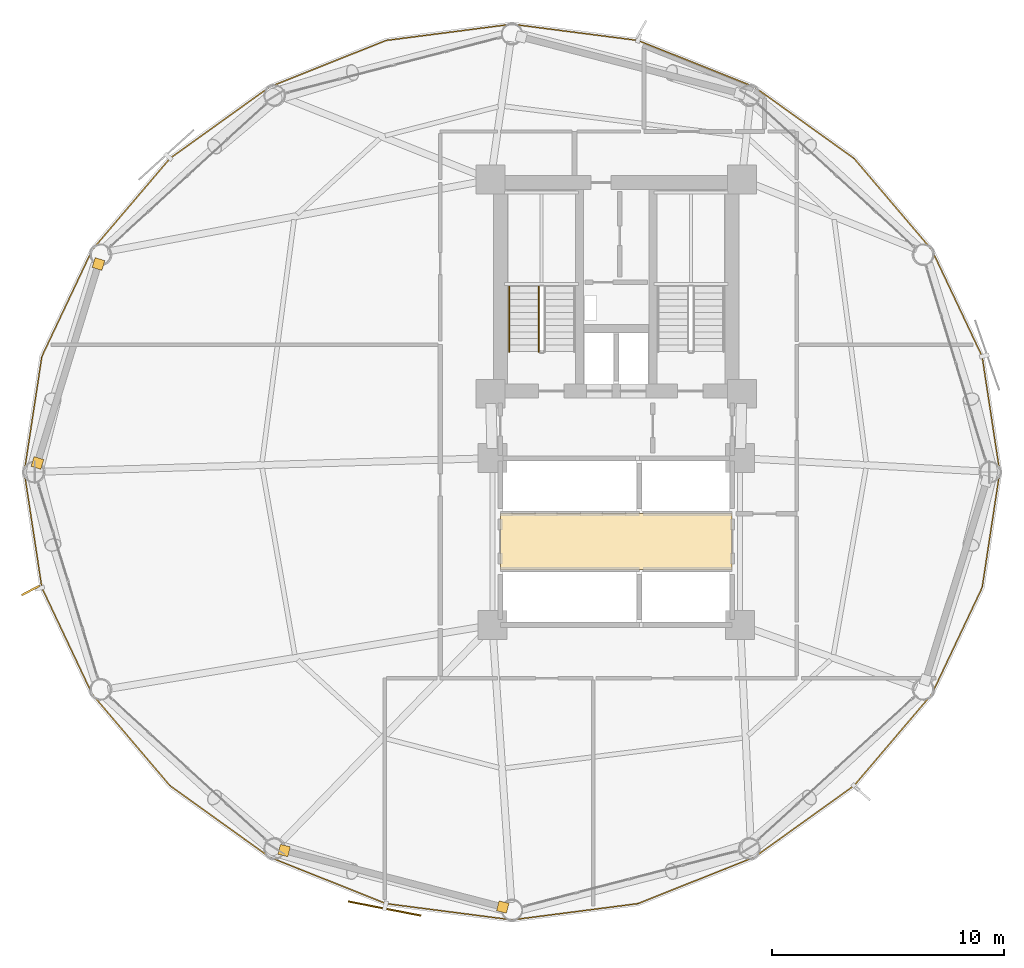
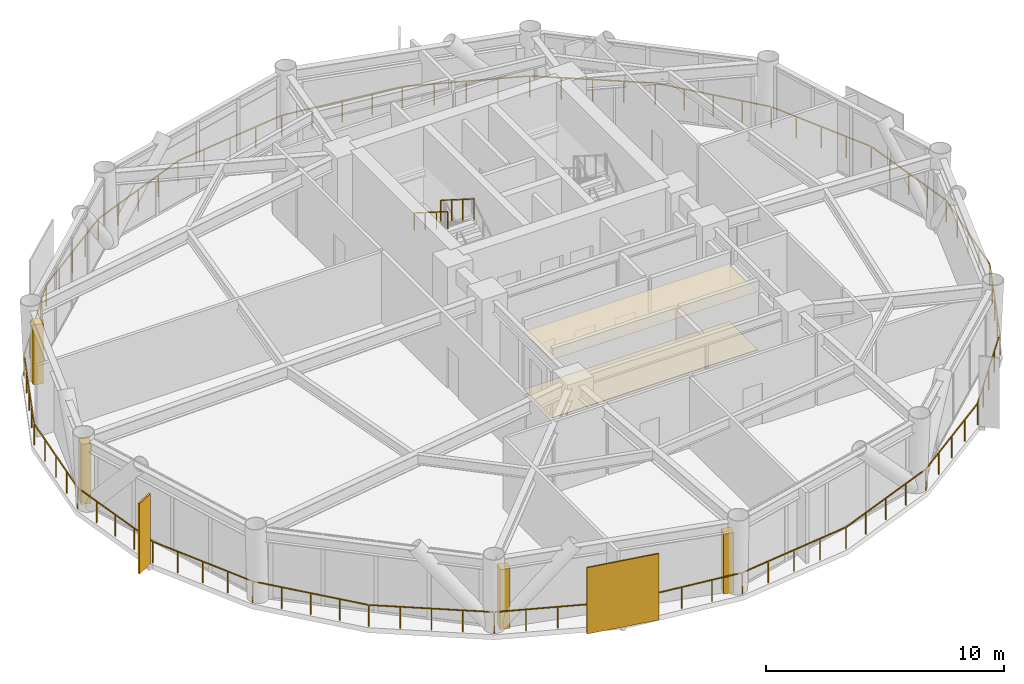
# One storey, part 23 of 25: 6 coverings, 3 railings, 2 shading devices.
"""IFC4 building model written with IfcOpenShell, lengths in metres."""

from ifc_helpers import new_model, si_unit, direction, frame, origin, origin_2d, place, context, subcontext, project, spatial, polyline, rectangle, outline, extrude, source, transform, mapped, material, layer, layer_set, type_object, type_shapes, element, save


model = new_model("IFC4")

# Units and contexts
model_context = context("Model", 3, precision=1e-05, world=origin(), true_north=direction((0.0, 1.0)))
body_context = subcontext(model_context, "Body", "Model", "MODEL_VIEW")
ifc_project = project(units=[si_unit("LENGTHUNIT", "METRE"), si_unit("AREAUNIT", "SQUARE_METRE"), si_unit("VOLUMEUNIT", "CUBIC_METRE"), si_unit("PLANEANGLEUNIT", "RADIAN"), si_unit("MASSUNIT", "GRAM", prefix="KILO")], contexts=[model_context])

# Site, building, storey
site_placement = place(None, origin())
site = spatial("IfcSite", under=ifc_project, at=site_placement, CompositionType="ELEMENT")
building_placement = place(site_placement, origin())
building = spatial("IfcBuilding", under=site, at=building_placement, Name="Varnakorn Sky Granary", CompositionType="ELEMENT")
storey_placement = place(building_placement, frame((0.0, 0.0, 39.300048828125)))
storey = spatial("IfcBuildingStorey", under=building, at=storey_placement, Name="L09", CompositionType="ELEMENT", Elevation=39.300048828125)

# Coverings
ifc_material_1 = material(Name="Perforated Acoustic Mineral-Fibre Ceiling", Category="gypsum")
ifc_layer_1 = layer(ifc_material_1, 0.02001953125, Name="Perforated Acoustic Mineral-Fibre Ceiling")
ifc_layer_set_1 = layer_set([ifc_layer_1], Name="Perforated Acoustic Mineral-Fibre Ceiling")
covering_type_1 = type_object("IfcCoveringType", Name="CV-CEIL-20", PredefinedType="CEILING", material=ifc_layer_set_1)
covering_1_placement = place(storey_placement, frame((0.0, 0.0, 2.989990234375)))
element("IfcCovering", 1, at=covering_1_placement, inside=storey, type_object=covering_type_1, Name="Lift Lobby Perforated Acoustic Ceiling L09", PredefinedType="CEILING", context=body_context, shape_type="SweptSolid", body=[
    extrude(outline(polyline([(-2.0, -4.199951171875), (8.0, -4.199951171875), (8.0, -1.800048828125), (-2.0, -1.800048828125), (-2.0, -4.199951171875)])), origin(), (0.0, 0.0, 1.0), 0.02001953125),
])
ifc_material_2 = material(Name="Honed Epoxy Terrazzo Topping", Category="concrete")
ifc_layer_2 = layer(ifc_material_2, 0.030029296875, Name="Honed Epoxy Terrazzo Topping")
ifc_layer_set_2 = layer_set([ifc_layer_2], Name="Honed Epoxy Terrazzo Topping")
covering_type_2 = type_object("IfcCoveringType", Name="CV-FLOR-30", PredefinedType="FLOORING", material=ifc_layer_set_2)
covering_2_placement = place(storey_placement, origin())
element("IfcCovering", 2, at=covering_2_placement, inside=storey, type_object=covering_type_2, Name="Lift Lobby Terrazzo Floor Finish L09", PredefinedType="FLOORING", context=body_context, shape_type="SweptSolid", body=[
    extrude(outline(polyline([(-2.0, -4.199951171875), (8.0, -4.199951171875), (8.0, -1.800048828125), (-2.0, -1.800048828125), (-2.0, -4.199951171875)])), origin(), (0.0, 0.0, 1.0), 0.030029296875),
])

# Railings
ifc_material_3 = material(Name="Anodised Bronze Aluminium Alloy 6063-T6", Category="aluminium")
railing_type_1 = type_object("IfcRailingType", Name="RL-BAL-1120", PredefinedType="BALUSTRADE", material=ifc_material_3)
railing_1_placement = place(storey_placement, frame((19.5546875, 0.0, 0.0)))
element("IfcRailing", 3, at=railing_1_placement, inside=storey, type_object=railing_type_1, Name="Perimeter Slab-Edge Safety Guard L09", PredefinedType="BALUSTRADE", context=body_context, shape_type="SweptSolid", body=[
    extrude(rectangle(XDim=0.048095703125, YDim=0.048095703125, at=origin_2d()), frame((-0.004150390625, -0.027587890625, 1.09619140625), z_axis=(-0.150566382434, -0.988599901113, 0.0), x_axis=(0.988599901113, -0.150566382434, 0.0)), (0.0, 0.0, 1.0), 4.989990234375),
    extrude(rectangle(XDim=0.048095703125, YDim=0.048095703125, at=origin_2d()), frame((-0.771728515625, -5.013916015625, 1.09619140625), z_axis=(-0.427026990185, -0.904238878645, 0.0), x_axis=(0.904238878645, -0.427026990185, 0.0)), (0.0, 0.0, 1.0), 5.037353515625),
    extrude(rectangle(XDim=0.048095703125, YDim=0.048095703125, at=origin_2d()), frame((-2.952880859375, -9.615478515625, 1.09619140625), z_axis=(-0.647871411654, -0.761749718715, 0.0), x_axis=(0.761749718715, -0.647871411654, 0.0)), (0.0, 0.0, 1.0), 5.12353515625),
    extrude(rectangle(XDim=0.048095703125, YDim=0.048095703125, at=origin_2d()), frame((-6.313232421875, -13.55615234375, 1.09619140625), z_axis=(-0.812694456522, -0.582690072283, 0.0), x_axis=(0.582690072283, -0.812694456522, 0.0)), (0.0, 0.0, 1.0), 5.237548828125),
    extrude(rectangle(XDim=0.048095703125, YDim=0.048095703125, at=origin_2d()), frame((-10.61865234375, -16.634765625, 1.09619140625), z_axis=(-0.928716184693, -0.370791381087, 0.0), x_axis=(0.370791381087, -0.928716184693, 0.0)), (0.0, 0.0, 1.0), 5.35302734375),
    extrude(rectangle(XDim=0.048095703125, YDim=0.048095703125, at=origin_2d()), frame((-15.643798828125, -18.633544921875, 1.09619140625), z_axis=(-0.991763460972, -0.128082932047, 0.0), x_axis=(0.128082932047, -0.991763460972, 0.0)), (0.0, 0.0, 1.0), 5.427978515625),
    extrude(rectangle(XDim=0.048095703125, YDim=0.048095703125, at=origin_2d()), frame((-21.08251953125, -19.32861328125, 1.09619140625), z_axis=(-0.991763460972, 0.128082932047, 0.0), x_axis=(-0.128082932047, -0.991763460972, 0.0)), (0.0, 0.0, 1.0), 5.427978515625),
    extrude(rectangle(XDim=0.048095703125, YDim=0.048095703125, at=origin_2d()), frame((-26.51953125, -18.619384765625, 1.09619140625), z_axis=(-0.928716184693, 0.370791381087, 0.0), x_axis=(-0.370791381087, -0.928716184693, 0.0)), (0.0, 0.0, 1.0), 5.35302734375),
    extrude(rectangle(XDim=0.048095703125, YDim=0.048095703125, at=origin_2d()), frame((-31.53955078125, -16.60791015625, 1.09619140625), z_axis=(-0.812694456522, 0.582690072283, 0.0), x_axis=(-0.582690072283, -0.812694456522, 0.0)), (0.0, 0.0, 1.0), 5.237548828125),
    extrude(rectangle(XDim=0.048095703125, YDim=0.048095703125, at=origin_2d()), frame((-35.8369140625, -13.5185546875, 1.09619140625), z_axis=(-0.647871411654, 0.761749718715, 0.0), x_axis=(-0.761749718715, -0.647871411654, 0.0)), (0.0, 0.0, 1.0), 5.12353515625),
    extrude(rectangle(XDim=0.048095703125, YDim=0.048095703125, at=origin_2d()), frame((-39.1865234375, -9.56884765625, 1.09619140625), z_axis=(-0.427026990185, 0.904238878645, 0.0), x_axis=(-0.904238878645, -0.427026990185, 0.0)), (0.0, 0.0, 1.0), 5.037353515625),
    extrude(rectangle(XDim=0.048095703125, YDim=0.048095703125, at=origin_2d()), frame((-41.353759765625, -4.9609375, 1.09619140625), z_axis=(-0.150566382434, 0.988599901113, 0.0), x_axis=(-0.988599901113, -0.150566382434, 0.0)), (0.0, 0.0, 1.0), 4.989990234375),
    extrude(rectangle(XDim=0.048095703125, YDim=0.048095703125, at=origin_2d()), frame((-42.105224609375, 0.027587890625, 1.09619140625), z_axis=(0.150566382434, 0.988599901113, 0.0), x_axis=(-0.988599901113, 0.150566382434, 0.0)), (0.0, 0.0, 1.0), 4.989990234375),
    extrude(rectangle(XDim=0.048095703125, YDim=0.048095703125, at=origin_2d()), frame((-41.337646484375, 5.013916015625, 1.09619140625), z_axis=(0.427026990185, 0.904238878645, 0.0), x_axis=(-0.904238878645, 0.427026990185, 0.0)), (0.0, 0.0, 1.0), 5.037353515625),
    extrude(rectangle(XDim=0.048095703125, YDim=0.048095703125, at=origin_2d()), frame((-39.156494140625, 9.615478515625, 1.09619140625), z_axis=(0.647871411654, 0.761749718715, 0.0), x_axis=(-0.761749718715, 0.647871411654, 0.0)), (0.0, 0.0, 1.0), 5.12353515625),
    extrude(rectangle(XDim=0.048095703125, YDim=0.048095703125, at=origin_2d()), frame((-35.796142578125, 13.55615234375, 1.09619140625), z_axis=(0.812694456522, 0.582690072283, 0.0), x_axis=(-0.582690072283, 0.812694456522, 0.0)), (0.0, 0.0, 1.0), 5.237548828125),
    extrude(rectangle(XDim=0.048095703125, YDim=0.048095703125, at=origin_2d()), frame((-31.49072265625, 16.634765625, 1.09619140625), z_axis=(0.928716184693, 0.370791381087, 0.0), x_axis=(-0.370791381087, 0.928716184693, 0.0)), (0.0, 0.0, 1.0), 5.35302734375),
    extrude(rectangle(XDim=0.048095703125, YDim=0.048095703125, at=origin_2d()), frame((-26.465576171875, 18.633544921875, 1.09619140625), z_axis=(0.991763460972, 0.128082932047, 0.0), x_axis=(-0.128082932047, 0.991763460972, 0.0)), (0.0, 0.0, 1.0), 5.427978515625),
    extrude(rectangle(XDim=0.048095703125, YDim=0.048095703125, at=origin_2d()), frame((-21.02685546875, 19.32861328125, 1.09619140625), z_axis=(0.991763460972, -0.128082932047, 0.0), x_axis=(0.128082932047, 0.991763460972, 0.0)), (0.0, 0.0, 1.0), 5.427978515625),
    extrude(rectangle(XDim=0.048095703125, YDim=0.048095703125, at=origin_2d()), frame((-15.58984375, 18.619384765625, 1.09619140625), z_axis=(0.928716184693, -0.370791381087, 0.0), x_axis=(0.370791381087, 0.928716184693, 0.0)), (0.0, 0.0, 1.0), 5.35302734375),
    extrude(rectangle(XDim=0.048095703125, YDim=0.048095703125, at=origin_2d()), frame((-10.56982421875, 16.60791015625, 1.09619140625), z_axis=(0.812694456522, -0.582690072283, 0.0), x_axis=(0.582690072283, 0.812694456522, 0.0)), (0.0, 0.0, 1.0), 5.237548828125),
    extrude(rectangle(XDim=0.048095703125, YDim=0.048095703125, at=origin_2d()), frame((-6.2724609375, 13.5185546875, 1.09619140625), z_axis=(0.647871411654, -0.761749718715, 0.0), x_axis=(0.761749718715, 0.647871411654, 0.0)), (0.0, 0.0, 1.0), 5.12353515625),
    extrude(rectangle(XDim=0.048095703125, YDim=0.048095703125, at=origin_2d()), frame((-2.9228515625, 9.56884765625, 1.09619140625), z_axis=(0.427026990185, -0.904238878645, 0.0), x_axis=(0.904238878645, 0.427026990185, 0.0)), (0.0, 0.0, 1.0), 5.037353515625),
    extrude(rectangle(XDim=0.048095703125, YDim=0.048095703125, at=origin_2d()), frame((-0.755615234375, 4.9609375, 1.09619140625), z_axis=(0.150566382434, -0.988599901113, 0.0), x_axis=(0.988599901113, 0.150566382434, 0.0)), (0.0, 0.0, 1.0), 4.989990234375),
    extrude(rectangle(XDim=0.0419921875, YDim=0.0419921875, at=origin_2d()), origin(), (0.0, 0.0, 1.0), 1.068115234375),
    extrude(rectangle(XDim=0.0419921875, YDim=0.0419921875, at=origin_2d()), frame((-0.18994140625, -1.2470703125, 0.0)), (0.0, 0.0, 1.0), 1.068115234375),
    extrude(rectangle(XDim=0.0419921875, YDim=0.0419921875, at=origin_2d()), frame((-0.3798828125, -2.494140625, 0.0)), (0.0, 0.0, 1.0), 1.068115234375),
    extrude(rectangle(XDim=0.0419921875, YDim=0.0419921875, at=origin_2d()), frame((-0.56982421875, -3.741455078125, 0.0)), (0.0, 0.0, 1.0), 1.068115234375),
    extrude(rectangle(XDim=0.0419921875, YDim=0.0419921875, at=origin_2d()), frame((-0.759765625, -4.988525390625, 0.0)), (0.0, 0.0, 1.0), 1.068115234375),
    extrude(rectangle(XDim=0.0419921875, YDim=0.0419921875, at=origin_2d()), frame((-1.303466796875, -6.139892578125, 0.0)), (0.0, 0.0, 1.0), 1.068115234375),
    extrude(rectangle(XDim=0.0419921875, YDim=0.0419921875, at=origin_2d()), frame((-1.84716796875, -7.29150390625, 0.0)), (0.0, 0.0, 1.0), 1.068115234375),
    extrude(rectangle(XDim=0.0419921875, YDim=0.0419921875, at=origin_2d()), frame((-2.39111328125, -8.44287109375, 0.0)), (0.0, 0.0, 1.0), 1.068115234375),
    extrude(rectangle(XDim=0.0419921875, YDim=0.0419921875, at=origin_2d()), frame((-2.934814453125, -9.59423828125, 0.0)), (0.0, 0.0, 1.0), 1.068115234375),
    extrude(rectangle(XDim=0.0419921875, YDim=0.0419921875, at=origin_2d()), frame((-3.773681640625, -10.58056640625, 0.0)), (0.0, 0.0, 1.0), 1.068115234375),
    extrude(rectangle(XDim=0.0419921875, YDim=0.0419921875, at=origin_2d()), frame((-4.61279296875, -11.56689453125, 0.0)), (0.0, 0.0, 1.0), 1.068115234375),
    extrude(rectangle(XDim=0.0419921875, YDim=0.0419921875, at=origin_2d()), frame((-5.45166015625, -12.553466796875, 0.0)), (0.0, 0.0, 1.0), 1.068115234375),
    extrude(rectangle(XDim=0.0419921875, YDim=0.0419921875, at=origin_2d()), frame((-6.29052734375, -13.539794921875, 0.0)), (0.0, 0.0, 1.0), 1.068115234375),
    extrude(rectangle(XDim=0.0419921875, YDim=0.0419921875, at=origin_2d()), frame((-7.365966796875, -14.31103515625, 0.0)), (0.0, 0.0, 1.0), 1.068115234375),
    extrude(rectangle(XDim=0.0419921875, YDim=0.0419921875, at=origin_2d()), frame((-8.44140625, -15.08203125, 0.0)), (0.0, 0.0, 1.0), 1.068115234375),
    extrude(rectangle(XDim=0.0419921875, YDim=0.0419921875, at=origin_2d()), frame((-9.51708984375, -15.85302734375, 0.0)), (0.0, 0.0, 1.0), 1.068115234375),
    extrude(rectangle(XDim=0.0419921875, YDim=0.0419921875, at=origin_2d()), frame((-10.592529296875, -16.624267578125, 0.0)), (0.0, 0.0, 1.0), 1.068115234375),
    extrude(rectangle(XDim=0.0419921875, YDim=0.0419921875, at=origin_2d()), frame((-11.848388671875, -17.125732421875, 0.0)), (0.0, 0.0, 1.0), 1.068115234375),
    extrude(rectangle(XDim=0.0419921875, YDim=0.0419921875, at=origin_2d()), frame((-13.104248046875, -17.626953125, 0.0)), (0.0, 0.0, 1.0), 1.068115234375),
    extrude(rectangle(XDim=0.0419921875, YDim=0.0419921875, at=origin_2d()), frame((-14.360107421875, -18.12841796875, 0.0)), (0.0, 0.0, 1.0), 1.068115234375),
    extrude(rectangle(XDim=0.0419921875, YDim=0.0419921875, at=origin_2d()), frame((-15.615966796875, -18.6298828125, 0.0)), (0.0, 0.0, 1.0), 1.068115234375),
    extrude(rectangle(XDim=0.0419921875, YDim=0.0419921875, at=origin_2d()), frame((-16.9755859375, -18.805419921875, 0.0)), (0.0, 0.0, 1.0), 1.068115234375),
    extrude(rectangle(XDim=0.0419921875, YDim=0.0419921875, at=origin_2d()), frame((-18.33544921875, -18.98095703125, 0.0)), (0.0, 0.0, 1.0), 1.068115234375),
    extrude(rectangle(XDim=0.0419921875, YDim=0.0419921875, at=origin_2d()), frame((-19.695068359375, -19.15673828125, 0.0)), (0.0, 0.0, 1.0), 1.068115234375),
    extrude(rectangle(XDim=0.0419921875, YDim=0.0419921875, at=origin_2d()), frame((-21.0546875, -19.332275390625, 0.0)), (0.0, 0.0, 1.0), 1.068115234375),
    extrude(rectangle(XDim=0.0419921875, YDim=0.0419921875, at=origin_2d()), frame((-22.414306640625, -19.15673828125, 0.0)), (0.0, 0.0, 1.0), 1.068115234375),
    extrude(rectangle(XDim=0.0419921875, YDim=0.0419921875, at=origin_2d()), frame((-23.77392578125, -18.98095703125, 0.0)), (0.0, 0.0, 1.0), 1.068115234375),
    extrude(rectangle(XDim=0.0419921875, YDim=0.0419921875, at=origin_2d()), frame((-25.1337890625, -18.805419921875, 0.0)), (0.0, 0.0, 1.0), 1.068115234375),
    extrude(rectangle(XDim=0.0419921875, YDim=0.0419921875, at=origin_2d()), frame((-26.493408203125, -18.6298828125, 0.0)), (0.0, 0.0, 1.0), 1.068115234375),
    extrude(rectangle(XDim=0.0419921875, YDim=0.0419921875, at=origin_2d()), frame((-27.749267578125, -18.12841796875, 0.0)), (0.0, 0.0, 1.0), 1.068115234375),
    extrude(rectangle(XDim=0.0419921875, YDim=0.0419921875, at=origin_2d()), frame((-29.005126953125, -17.626953125, 0.0)), (0.0, 0.0, 1.0), 1.068115234375),
    extrude(rectangle(XDim=0.0419921875, YDim=0.0419921875, at=origin_2d()), frame((-30.260986328125, -17.125732421875, 0.0)), (0.0, 0.0, 1.0), 1.068115234375),
    extrude(rectangle(XDim=0.0419921875, YDim=0.0419921875, at=origin_2d()), frame((-31.516845703125, -16.624267578125, 0.0)), (0.0, 0.0, 1.0), 1.068115234375),
    extrude(rectangle(XDim=0.0419921875, YDim=0.0419921875, at=origin_2d()), frame((-32.59228515625, -15.85302734375, 0.0)), (0.0, 0.0, 1.0), 1.068115234375),
    extrude(rectangle(XDim=0.0419921875, YDim=0.0419921875, at=origin_2d()), frame((-33.66796875, -15.08203125, 0.0)), (0.0, 0.0, 1.0), 1.068115234375),
    extrude(rectangle(XDim=0.0419921875, YDim=0.0419921875, at=origin_2d()), frame((-34.743408203125, -14.31103515625, 0.0)), (0.0, 0.0, 1.0), 1.068115234375),
    extrude(rectangle(XDim=0.0419921875, YDim=0.0419921875, at=origin_2d()), frame((-35.81884765625, -13.539794921875, 0.0)), (0.0, 0.0, 1.0), 1.068115234375),
    extrude(rectangle(XDim=0.0419921875, YDim=0.0419921875, at=origin_2d()), frame((-36.65771484375, -12.553466796875, 0.0)), (0.0, 0.0, 1.0), 1.068115234375),
    extrude(rectangle(XDim=0.0419921875, YDim=0.0419921875, at=origin_2d()), frame((-37.49658203125, -11.56689453125, 0.0)), (0.0, 0.0, 1.0), 1.068115234375),
    extrude(rectangle(XDim=0.0419921875, YDim=0.0419921875, at=origin_2d()), frame((-38.335693359375, -10.58056640625, 0.0)), (0.0, 0.0, 1.0), 1.068115234375),
    extrude(rectangle(XDim=0.0419921875, YDim=0.0419921875, at=origin_2d()), frame((-39.174560546875, -9.59423828125, 0.0)), (0.0, 0.0, 1.0), 1.068115234375),
    extrude(rectangle(XDim=0.0419921875, YDim=0.0419921875, at=origin_2d()), frame((-39.71826171875, -8.44287109375, 0.0)), (0.0, 0.0, 1.0), 1.068115234375),
    extrude(rectangle(XDim=0.0419921875, YDim=0.0419921875, at=origin_2d()), frame((-40.26220703125, -7.29150390625, 0.0)), (0.0, 0.0, 1.0), 1.068115234375),
    extrude(rectangle(XDim=0.0419921875, YDim=0.0419921875, at=origin_2d()), frame((-40.805908203125, -6.139892578125, 0.0)), (0.0, 0.0, 1.0), 1.068115234375),
    extrude(rectangle(XDim=0.0419921875, YDim=0.0419921875, at=origin_2d()), frame((-41.349609375, -4.988525390625, 0.0)), (0.0, 0.0, 1.0), 1.068115234375),
    extrude(rectangle(XDim=0.0419921875, YDim=0.0419921875, at=origin_2d()), frame((-41.53955078125, -3.741455078125, 0.0)), (0.0, 0.0, 1.0), 1.068115234375),
    extrude(rectangle(XDim=0.0419921875, YDim=0.0419921875, at=origin_2d()), frame((-41.7294921875, -2.494140625, 0.0)), (0.0, 0.0, 1.0), 1.068115234375),
    extrude(rectangle(XDim=0.0419921875, YDim=0.0419921875, at=origin_2d()), frame((-41.91943359375, -1.2470703125, 0.0)), (0.0, 0.0, 1.0), 1.068115234375),
    extrude(rectangle(XDim=0.0419921875, YDim=0.0419921875, at=origin_2d()), frame((-42.109375, 0.0, 0.0)), (0.0, 0.0, 1.0), 1.068115234375),
    extrude(rectangle(XDim=0.0419921875, YDim=0.0419921875, at=origin_2d()), frame((-41.91943359375, 1.2470703125, 0.0)), (0.0, 0.0, 1.0), 1.068115234375),
    extrude(rectangle(XDim=0.0419921875, YDim=0.0419921875, at=origin_2d()), frame((-41.7294921875, 2.494140625, 0.0)), (0.0, 0.0, 1.0), 1.068115234375),
    extrude(rectangle(XDim=0.0419921875, YDim=0.0419921875, at=origin_2d()), frame((-41.53955078125, 3.741455078125, 0.0)), (0.0, 0.0, 1.0), 1.068115234375),
    extrude(rectangle(XDim=0.0419921875, YDim=0.0419921875, at=origin_2d()), frame((-41.349609375, 4.988525390625, 0.0)), (0.0, 0.0, 1.0), 1.068115234375),
    extrude(rectangle(XDim=0.0419921875, YDim=0.0419921875, at=origin_2d()), frame((-40.805908203125, 6.139892578125, 0.0)), (0.0, 0.0, 1.0), 1.068115234375),
    extrude(rectangle(XDim=0.0419921875, YDim=0.0419921875, at=origin_2d()), frame((-40.26220703125, 7.29150390625, 0.0)), (0.0, 0.0, 1.0), 1.068115234375),
    extrude(rectangle(XDim=0.0419921875, YDim=0.0419921875, at=origin_2d()), frame((-39.71826171875, 8.44287109375, 0.0)), (0.0, 0.0, 1.0), 1.068115234375),
    extrude(rectangle(XDim=0.0419921875, YDim=0.0419921875, at=origin_2d()), frame((-39.174560546875, 9.59423828125, 0.0)), (0.0, 0.0, 1.0), 1.068115234375),
    extrude(rectangle(XDim=0.0419921875, YDim=0.0419921875, at=origin_2d()), frame((-38.335693359375, 10.58056640625, 0.0)), (0.0, 0.0, 1.0), 1.068115234375),
    extrude(rectangle(XDim=0.0419921875, YDim=0.0419921875, at=origin_2d()), frame((-37.49658203125, 11.56689453125, 0.0)), (0.0, 0.0, 1.0), 1.068115234375),
    extrude(rectangle(XDim=0.0419921875, YDim=0.0419921875, at=origin_2d()), frame((-36.65771484375, 12.553466796875, 0.0)), (0.0, 0.0, 1.0), 1.068115234375),
    extrude(rectangle(XDim=0.0419921875, YDim=0.0419921875, at=origin_2d()), frame((-35.81884765625, 13.539794921875, 0.0)), (0.0, 0.0, 1.0), 1.068115234375),
    extrude(rectangle(XDim=0.0419921875, YDim=0.0419921875, at=origin_2d()), frame((-34.743408203125, 14.31103515625, 0.0)), (0.0, 0.0, 1.0), 1.068115234375),
    extrude(rectangle(XDim=0.0419921875, YDim=0.0419921875, at=origin_2d()), frame((-33.66796875, 15.08203125, 0.0)), (0.0, 0.0, 1.0), 1.068115234375),
    extrude(rectangle(XDim=0.0419921875, YDim=0.0419921875, at=origin_2d()), frame((-32.59228515625, 15.85302734375, 0.0)), (0.0, 0.0, 1.0), 1.068115234375),
    extrude(rectangle(XDim=0.0419921875, YDim=0.0419921875, at=origin_2d()), frame((-31.516845703125, 16.624267578125, 0.0)), (0.0, 0.0, 1.0), 1.068115234375),
    extrude(rectangle(XDim=0.0419921875, YDim=0.0419921875, at=origin_2d()), frame((-30.260986328125, 17.125732421875, 0.0)), (0.0, 0.0, 1.0), 1.068115234375),
    extrude(rectangle(XDim=0.0419921875, YDim=0.0419921875, at=origin_2d()), frame((-29.005126953125, 17.626953125, 0.0)), (0.0, 0.0, 1.0), 1.068115234375),
    extrude(rectangle(XDim=0.0419921875, YDim=0.0419921875, at=origin_2d()), frame((-27.749267578125, 18.12841796875, 0.0)), (0.0, 0.0, 1.0), 1.068115234375),
    extrude(rectangle(XDim=0.0419921875, YDim=0.0419921875, at=origin_2d()), frame((-26.493408203125, 18.6298828125, 0.0)), (0.0, 0.0, 1.0), 1.068115234375),
    extrude(rectangle(XDim=0.0419921875, YDim=0.0419921875, at=origin_2d()), frame((-25.1337890625, 18.805419921875, 0.0)), (0.0, 0.0, 1.0), 1.068115234375),
    extrude(rectangle(XDim=0.0419921875, YDim=0.0419921875, at=origin_2d()), frame((-23.77392578125, 18.98095703125, 0.0)), (0.0, 0.0, 1.0), 1.068115234375),
    extrude(rectangle(XDim=0.0419921875, YDim=0.0419921875, at=origin_2d()), frame((-22.414306640625, 19.15673828125, 0.0)), (0.0, 0.0, 1.0), 1.068115234375),
    extrude(rectangle(XDim=0.0419921875, YDim=0.0419921875, at=origin_2d()), frame((-21.0546875, 19.332275390625, 0.0)), (0.0, 0.0, 1.0), 1.068115234375),
    extrude(rectangle(XDim=0.0419921875, YDim=0.0419921875, at=origin_2d()), frame((-19.695068359375, 19.15673828125, 0.0)), (0.0, 0.0, 1.0), 1.068115234375),
    extrude(rectangle(XDim=0.0419921875, YDim=0.0419921875, at=origin_2d()), frame((-18.33544921875, 18.98095703125, 0.0)), (0.0, 0.0, 1.0), 1.068115234375),
    extrude(rectangle(XDim=0.0419921875, YDim=0.0419921875, at=origin_2d()), frame((-16.9755859375, 18.805419921875, 0.0)), (0.0, 0.0, 1.0), 1.068115234375),
    extrude(rectangle(XDim=0.0419921875, YDim=0.0419921875, at=origin_2d()), frame((-15.615966796875, 18.6298828125, 0.0)), (0.0, 0.0, 1.0), 1.068115234375),
    extrude(rectangle(XDim=0.0419921875, YDim=0.0419921875, at=origin_2d()), frame((-14.360107421875, 18.12841796875, 0.0)), (0.0, 0.0, 1.0), 1.068115234375),
    extrude(rectangle(XDim=0.0419921875, YDim=0.0419921875, at=origin_2d()), frame((-13.104248046875, 17.626953125, 0.0)), (0.0, 0.0, 1.0), 1.068115234375),
    extrude(rectangle(XDim=0.0419921875, YDim=0.0419921875, at=origin_2d()), frame((-11.848388671875, 17.125732421875, 0.0)), (0.0, 0.0, 1.0), 1.068115234375),
    extrude(rectangle(XDim=0.0419921875, YDim=0.0419921875, at=origin_2d()), frame((-10.592529296875, 16.624267578125, 0.0)), (0.0, 0.0, 1.0), 1.068115234375),
    extrude(rectangle(XDim=0.0419921875, YDim=0.0419921875, at=origin_2d()), frame((-9.51708984375, 15.85302734375, 0.0)), (0.0, 0.0, 1.0), 1.068115234375),
    extrude(rectangle(XDim=0.0419921875, YDim=0.0419921875, at=origin_2d()), frame((-8.44140625, 15.08203125, 0.0)), (0.0, 0.0, 1.0), 1.068115234375),
    extrude(rectangle(XDim=0.0419921875, YDim=0.0419921875, at=origin_2d()), frame((-7.365966796875, 14.31103515625, 0.0)), (0.0, 0.0, 1.0), 1.068115234375),
    extrude(rectangle(XDim=0.0419921875, YDim=0.0419921875, at=origin_2d()), frame((-6.29052734375, 13.539794921875, 0.0)), (0.0, 0.0, 1.0), 1.068115234375),
    extrude(rectangle(XDim=0.0419921875, YDim=0.0419921875, at=origin_2d()), frame((-5.45166015625, 12.553466796875, 0.0)), (0.0, 0.0, 1.0), 1.068115234375),
    extrude(rectangle(XDim=0.0419921875, YDim=0.0419921875, at=origin_2d()), frame((-4.61279296875, 11.56689453125, 0.0)), (0.0, 0.0, 1.0), 1.068115234375),
    extrude(rectangle(XDim=0.0419921875, YDim=0.0419921875, at=origin_2d()), frame((-3.773681640625, 10.58056640625, 0.0)), (0.0, 0.0, 1.0), 1.068115234375),
    extrude(rectangle(XDim=0.0419921875, YDim=0.0419921875, at=origin_2d()), frame((-2.934814453125, 9.59423828125, 0.0)), (0.0, 0.0, 1.0), 1.068115234375),
    extrude(rectangle(XDim=0.0419921875, YDim=0.0419921875, at=origin_2d()), frame((-2.39111328125, 8.44287109375, 0.0)), (0.0, 0.0, 1.0), 1.068115234375),
    extrude(rectangle(XDim=0.0419921875, YDim=0.0419921875, at=origin_2d()), frame((-1.84716796875, 7.29150390625, 0.0)), (0.0, 0.0, 1.0), 1.068115234375),
    extrude(rectangle(XDim=0.0419921875, YDim=0.0419921875, at=origin_2d()), frame((-1.303466796875, 6.139892578125, 0.0)), (0.0, 0.0, 1.0), 1.068115234375),
    extrude(rectangle(XDim=0.0419921875, YDim=0.0419921875, at=origin_2d()), frame((-0.759765625, 4.988525390625, 0.0)), (0.0, 0.0, 1.0), 1.068115234375),
    extrude(rectangle(XDim=0.0419921875, YDim=0.0419921875, at=origin_2d()), frame((-0.56982421875, 3.741455078125, 0.0)), (0.0, 0.0, 1.0), 1.068115234375),
    extrude(rectangle(XDim=0.0419921875, YDim=0.0419921875, at=origin_2d()), frame((-0.3798828125, 2.494140625, 0.0)), (0.0, 0.0, 1.0), 1.068115234375),
    extrude(rectangle(XDim=0.0419921875, YDim=0.0419921875, at=origin_2d()), frame((-0.18994140625, 1.2470703125, 0.0)), (0.0, 0.0, 1.0), 1.068115234375),
])
ifc_material_4 = material(Name="Brushed Stainless Steel 316", Category="steel")
railing_type_2 = type_object("IfcRailingType", Name="RL-STAIR-1100", PredefinedType="GUARDRAIL", material=ifc_material_4)
railing_2_placement = place(storey_placement, frame((-0.340087890625, 8.0, 2.127197265625)))
element("IfcRailing", 4, at=railing_2_placement, inside=storey, type_object=railing_type_2, Name="L09 ST-1 stair guard 3", PredefinedType="GUARDRAIL", context=body_context, shape_type="SweptSolid", body=[
    extrude(rectangle(XDim=0.048095703125, YDim=0.048095703125, at=origin_2d()), frame((0.0, 0.0, 1.076171875), z_axis=(0.0, -0.844908973607, 0.534910110503), x_axis=(1.0, 0.0, 0.0)), (0.0, 0.0, 1.0), 3.31396484375),
    extrude(rectangle(XDim=0.0419921875, YDim=0.0419921875, at=origin_2d()), origin(), (0.0, 0.0, 1.0), 1.048095703125),
    extrude(rectangle(XDim=0.0419921875, YDim=0.0419921875, at=origin_2d()), frame((0.0, -0.933349609375, 0.5908203125)), (0.0, 0.0, 1.0), 1.048095703125),
    extrude(rectangle(XDim=0.0419921875, YDim=0.0419921875, at=origin_2d()), frame((0.0, -1.86669921875, 1.181884765625)), (0.0, 0.0, 1.0), 1.048095703125),
    extrude(rectangle(XDim=0.0419921875, YDim=0.0419921875, at=origin_2d()), frame((0.0, -2.800048828125, 1.772705078125)), (0.0, 0.0, 1.0), 1.048095703125),
])
railing_type_3 = type_object("IfcRailingType", Name="RL-STAIR-920", PredefinedType="HANDRAIL", material=ifc_material_4)
railing_3_placement = place(storey_placement, frame((-1.6201171875, 8.0, 2.127197265625)))
element("IfcRailing", 5, at=railing_3_placement, inside=storey, type_object=railing_type_3, Name="L09 ST-1 stair handrail 2", PredefinedType="HANDRAIL", context=body_context, shape_type="SweptSolid", body=[
    extrude(rectangle(XDim=0.048095703125, YDim=0.048095703125, at=origin_2d()), frame((0.0, 0.0, 0.8759765625), z_axis=(0.0, -0.844908973607, 0.534910110503), x_axis=(1.0, 0.0, 0.0)), (0.0, 0.0, 1.0), 3.31396484375),
    extrude(rectangle(XDim=0.0419921875, YDim=0.0419921875, at=origin_2d()), origin(), (0.0, 0.0, 1.0), 0.847900390625),
    extrude(rectangle(XDim=0.0419921875, YDim=0.0419921875, at=origin_2d()), frame((0.0, -0.933349609375, 0.5908203125)), (0.0, 0.0, 1.0), 0.847900390625),
    extrude(rectangle(XDim=0.0419921875, YDim=0.0419921875, at=origin_2d()), frame((0.0, -1.86669921875, 1.181884765625)), (0.0, 0.0, 1.0), 0.847900390625),
    extrude(rectangle(XDim=0.0419921875, YDim=0.0419921875, at=origin_2d()), frame((0.0, -2.800048828125, 1.772705078125)), (0.0, 0.0, 1.0), 0.847900390625),
])

# Shading device
shading_device_type_1 = type_object("IfcShadingDeviceType", Name="SH-FIN-01", PredefinedType="USERDEFINED", material=ifc_material_3)
shared_shape_1 = source(origin(), body_context, "Body", "SweptSolid", [
    extrude(rectangle(XDim=0.0849609375, YDim=0.8798828125, at=origin_2d()), origin(), (0.0, 0.0, 1.0), 3.60009765625),
])
type_shapes(shading_device_type_1, [shared_shape_1])
shading_device_1_placement = place(storey_placement, frame((-22.28076171875, -5.111083984375, -0.0400390625), z_axis=(0.0, 0.0, 1.0), x_axis=(0.469356129807, -0.883008959984, 0.0)))
element("IfcShadingDevice", 6, at=shading_device_1_placement, inside=storey, type_object=shading_device_type_1, Name="Bronze Solar-Tracking Vertical Blade FIN L09-07", ObjectType="FIN", PredefinedType="USERDEFINED", context=body_context, shape_type="MappedRepresentation", body=[
    mapped(shared_shape_1, transform((0.0, 0.0, 0.0), x_axis=(1.0, 0.0, 0.0), y_axis=(0.0, 1.0, 0.0), z_axis=(0.0, 0.0, 1.0), scale=1.0)),
])

# Coverings
ifc_layer_3 = layer(ifc_material_3, 0.050048828125, Name="Anodised Bronze Aluminium Alloy 6063-T6")
ifc_layer_set_3 = layer_set([ifc_layer_3], Name="Anodised Bronze Aluminium Alloy 6063-T6")
covering_type_3 = type_object("IfcCoveringType", Name="CV-CLAD-50", PredefinedType="CLADDING", material=ifc_layer_set_3)
shared_shape_2 = source(origin(), body_context, "Body", "SweptSolid", [
    extrude(rectangle(XDim=0.43994140625, YDim=0.43994140625, at=origin_2d()), origin(), (0.0, 0.0, 1.0), 3.080078125),
])
type_shapes(covering_type_3, [shared_shape_2])
for number, where, z_axis, x_axis, name in (
    (7, (-21.985107421875, 0.393798828125, -0.02001953125), (0.0, 0.0, 1.0), (0.293539832896, 0.955946842928, 0.0), "Bronze Corner Pilaster Closure L09-P06-A"),
    (8, (-19.349365234375, 8.97998046875, -0.02001953125), (0.0, 0.0, 1.0), (0.293539832896, 0.955946842928, 0.0), "Bronze Corner Pilaster Closure L09-P06-B"),
    (9, (-1.89892578125, -18.77978515625, -0.02001953125), (0.0, 0.0, 1.0), (-0.968147640378, 0.250380004054, 0.0), "Bronze Corner Pilaster Closure L09-P09-A"),
    (10, (-11.336669921875, -16.33935546875, -0.02001953125), (0.0, 0.0, 1.0), (-0.968147640378, 0.250380004054, 0.0), "Bronze Corner Pilaster Closure L09-P09-B"),
):
    element("IfcCovering", number, at=place(storey_placement, frame(where, z_axis=z_axis, x_axis=x_axis)), inside=storey, type_object=covering_type_3, Name=name, PredefinedType="CLADDING", context=body_context, shape_type="MappedRepresentation", body=[
        mapped(shared_shape_2, transform((0.0, 0.0, 0.0), x_axis=(1.0, 0.0, 0.0), y_axis=(0.0, 1.0, 0.0), z_axis=(0.0, 0.0, 1.0), scale=1.0)),
    ])

# Shading device
shading_device_type_2 = type_object("IfcShadingDeviceType", Name="SH-SCR-01", PredefinedType="USERDEFINED", material=ifc_material_3)
shared_shape_3 = source(origin(), body_context, "Body", "SweptSolid", [
    extrude(rectangle(XDim=3.199951171875, YDim=0.06494140625, at=origin_2d()), origin(), (0.0, 0.0, 1.0), 3.39990234375),
])
type_shapes(shading_device_type_2, [shared_shape_3])
shading_device_2_placement = place(storey_placement, frame((-7.000244140625, -18.841796875, -0.0400390625), z_axis=(0.0, 0.0, 1.0), x_axis=(0.981550171284, -0.191204762629, 0.0)))
element("IfcShadingDevice", 11, at=shading_device_2_placement, inside=storey, type_object=shading_device_type_2, Name="Perforated Bronze Solar Screen Panel SCREEN L09-09", ObjectType="SCREEN", PredefinedType="USERDEFINED", context=body_context, shape_type="MappedRepresentation", body=[
    mapped(shared_shape_3, transform((0.0, 0.0, 0.0), x_axis=(1.0, 0.0, 0.0), y_axis=(0.0, 1.0, 0.0), z_axis=(0.0, 0.0, 1.0), scale=1.0)),
])

save(model, "model.ifc")
